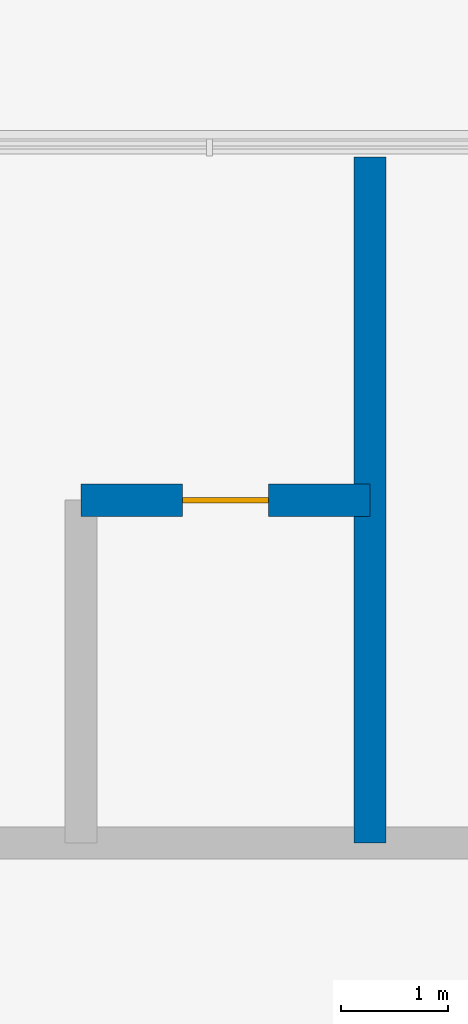
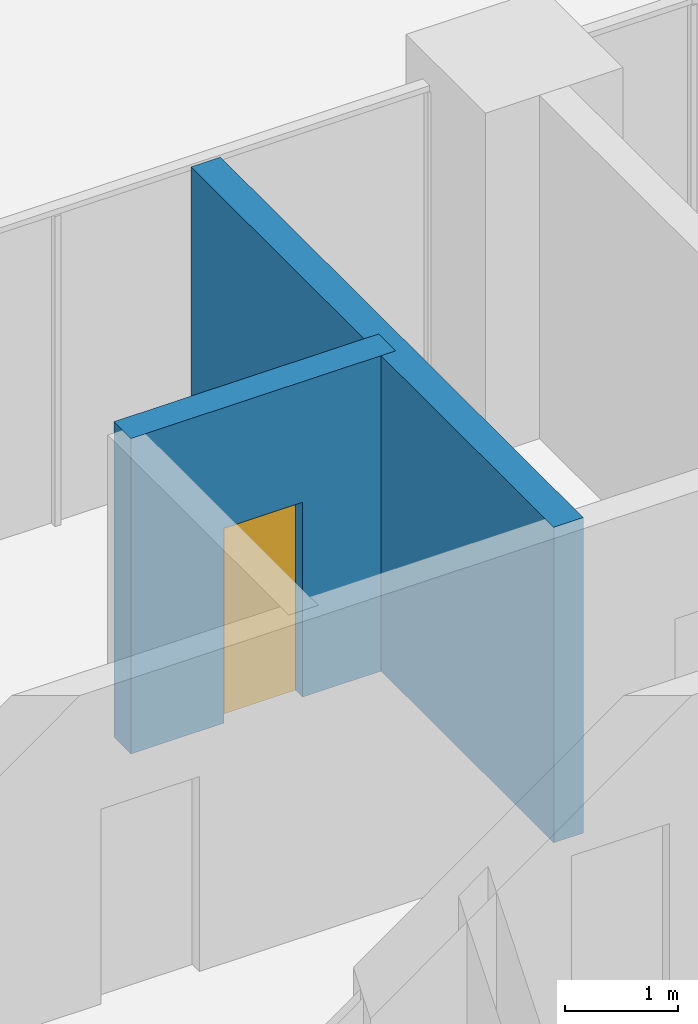
# One storey, part 25 of 51: 2 walls, 1 door, 1 opening.
"""IFC4 building model written with IfcOpenShell, lengths in metres."""

from ifc_helpers import new_model, si_unit, direction, frame, frame_2d, origin, place, context, subcontext, project, spatial, rectangle, extrude, material, layer, layer_set, type_object, element, fill, save


model = new_model("IFC4")

# Units and contexts
model_context = context("Model", 3, precision=1e-05, world=origin(), true_north=direction((0.0, 1.0)))
body_context = subcontext(model_context, "Body", "Model", "MODEL_VIEW")
ifc_project = project(units=[si_unit("LENGTHUNIT", "METRE"), si_unit("AREAUNIT", "SQUARE_METRE"), si_unit("VOLUMEUNIT", "CUBIC_METRE"), si_unit("PLANEANGLEUNIT", "RADIAN"), si_unit("MASSUNIT", "GRAM", prefix="KILO")], contexts=[model_context])

# Site, building, storey
site_placement = place(None, origin())
site = spatial("IfcSite", under=ifc_project, at=site_placement, CompositionType="ELEMENT")
building_placement = place(site_placement, origin())
building = spatial("IfcBuilding", under=site, at=building_placement, Name="Ogive Portal Towers", CompositionType="ELEMENT")
storey_placement = place(building_placement, frame((0.0, 0.0, 33.5)))
storey = spatial("IfcBuildingStorey", under=building, at=storey_placement, Name="L06", CompositionType="ELEMENT", Elevation=33.5)

# Wall, opening, door
ifc_material_1 = material(Name="Gypsum board partition on steel studs", Category="steel")
ifc_layer = layer(ifc_material_1, 0.300048828125)
ifc_layer_set = layer_set([ifc_layer], Name="WT-PART-300-EI 60")
wall_type = type_object("IfcWallType", Name="WT-PART-300-EI 60", PredefinedType="PARTITIONING", material=ifc_layer_set)
wall_1_placement = place(storey_placement, frame((79.800048828125, 36.550048828125, 0.0), z_axis=(0.0, 0.0, 1.0), x_axis=(1.0, 0.0, 0.0)))
wall_1 = element("IfcWall", 1, at=wall_1_placement, inside=storey, type_object=wall_type, Name="Wall L06:w012", PredefinedType="PARTITIONING", context=body_context, shape_type="SweptSolid", body=[
    extrude(rectangle(XDim=2.699951171875, YDim=0.300048828125, at=frame_2d((1.35009765625, 0.0))), origin(), (0.0, 0.0, 1.0), 3.39990234375),
])
opening_placement = place(wall_1_placement, frame((0.949951171875, 0.0, 0.0)))
opening = element("IfcOpeningElement", 2, at=opening_placement, cuts=wall_1, Name="Opening D01-040", PredefinedType="OPENING", context=body_context, shape_type="SweptSolid", body=[
    extrude(rectangle(XDim=0.800048828125, YDim=2.10009765625, at=frame_2d((0.39990234375, 1.050048828125))), frame((0.0, 0.16015625, 0.0), z_axis=(0.0, -1.0, 0.0), x_axis=(1.0, 0.0, 0.0)), (0.0, 0.0, 1.0), 0.320068359375),
])
ifc_material_2 = material(Name="Steel fire door", Category="steel")
door_type = type_object("IfcDoorType", Name="DT-BATH-800x2100-FD60S", OperationType="SINGLE_SWING_LEFT", PredefinedType="DOOR", material=ifc_material_2)
door_placement = place(opening_placement, origin())
door = element("IfcDoor", 3, at=door_placement, inside=storey, type_object=door_type, Name="Door D01-040", OperationType="SINGLE_SWING_RIGHT", OverallHeight=2.10009765625, OverallWidth=0.800048828125, PredefinedType="DOOR", context=body_context, shape_type="SweptSolid", body=[
    extrude(rectangle(XDim=0.800048828125, YDim=2.10009765625, at=frame_2d((0.39990234375, 1.050048828125))), frame((0.0, 0.02490234375, 0.0), z_axis=(0.0, -1.0, 0.0), x_axis=(1.0, 0.0, 0.0)), (0.0, 0.0, 1.0), 0.050048828125),
])
fill(opening, door)

# Wall
wall_2_placement = place(storey_placement, frame((82.5, 33.35009765625, 0.0), z_axis=(0.0, 0.0, 1.0), x_axis=(0.0, 1.0, 0.0)))
element("IfcWall", 4, at=wall_2_placement, inside=storey, type_object=wall_type, Name="Wall L06:w063", PredefinedType="PARTITIONING", context=body_context, shape_type="SweptSolid", body=[
    extrude(rectangle(XDim=6.40478515625, YDim=0.300048828125, at=frame_2d((3.202392578125, 0.0))), origin(), (0.0, 0.0, 1.0), 3.39990234375),
])

save(model, "model.ifc")
